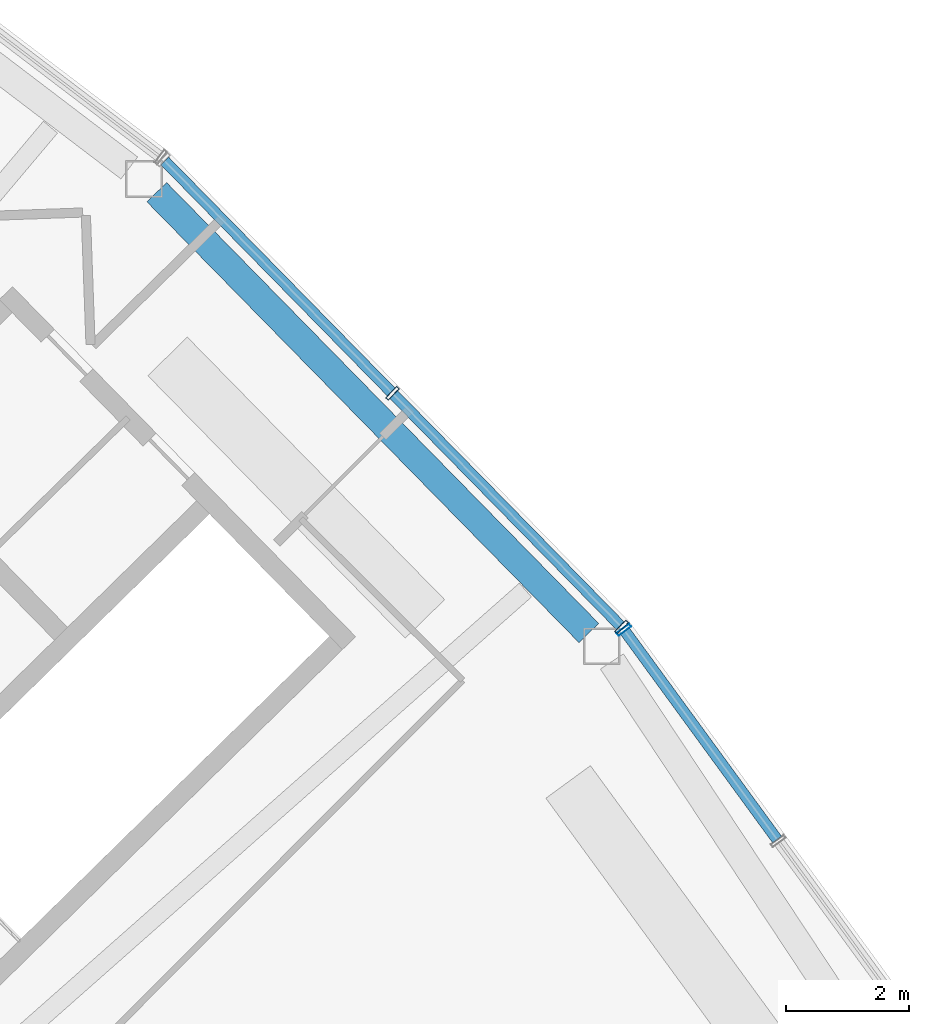
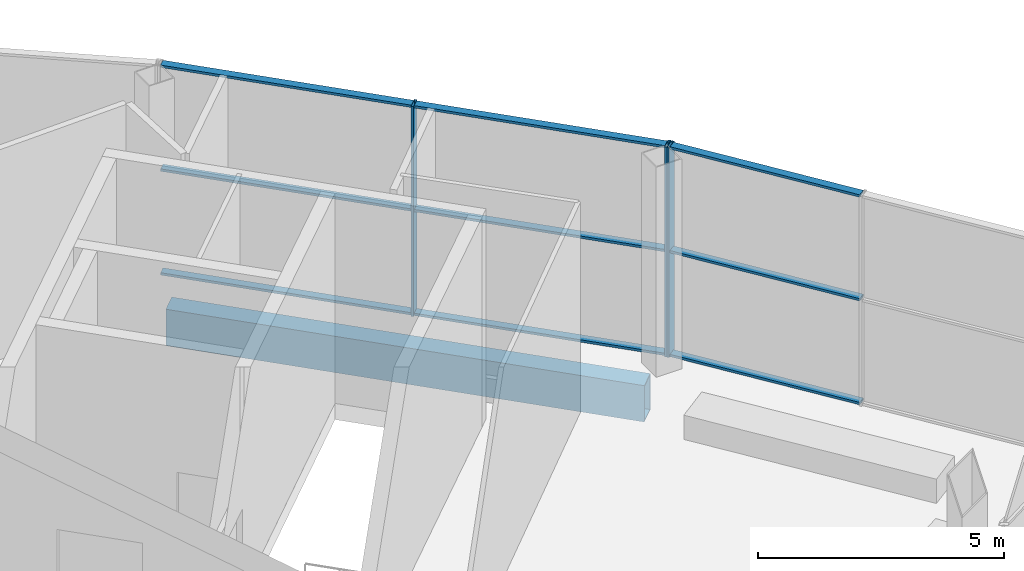
# One storey, part 28 of 44: 12 members, 1 beam, 2 elements without a shape of their own.
"""IFC4 building model written with IfcOpenShell, lengths in metres."""

from ifc_helpers import new_model, si_unit, direction, frame, origin, origin_2d, place, context, subcontext, project, spatial, hollow_rectangle, extrude, material, layer, layer_set, material_profile, profile_set, type_object, element, aggregate, save


model = new_model("IFC4")

# Units and contexts
model_context = context("Model", 3, precision=1e-05, world=origin(), true_north=direction((0.0, 1.0)))
body_context = subcontext(model_context, "Body", "Model", "MODEL_VIEW")
ifc_project = project(units=[si_unit("LENGTHUNIT", "METRE"), si_unit("AREAUNIT", "SQUARE_METRE"), si_unit("VOLUMEUNIT", "CUBIC_METRE"), si_unit("PLANEANGLEUNIT", "RADIAN"), si_unit("MASSUNIT", "GRAM", prefix="KILO")], contexts=[model_context])

# Site, building, storey
site_placement = place(None, origin())
site = spatial("IfcSite", under=ifc_project, at=site_placement, CompositionType="ELEMENT")
building_placement = place(site_placement, origin())
building = spatial("IfcBuilding", under=site, at=building_placement, Name="Tuul Gate Civic Tower", CompositionType="ELEMENT")
storey_placement = place(building_placement, frame((0.0, 0.0, 354.60009765625)))
storey = spatial("IfcBuildingStorey", under=building, at=storey_placement, Name="Observation level 2", CompositionType="ELEMENT", Elevation=354.60009765625)

# Curtain wall, member
ifc_material_1 = material(Name="Stainless steel", Category="steel")
ifc_layer = layer(ifc_material_1, 0.199951171875)
ifc_layer_set = layer_set([ifc_layer], Name="Stainless steel")
curtain_wall_type = type_object("IfcCurtainWallType", Name="Curtain wall CW4", PredefinedType="NOTDEFINED", material=ifc_layer_set)
curtain_wall_1_placement = place(storey_placement, origin())
curtain_wall_1 = element("IfcCurtainWall", 1, at=curtain_wall_1_placement, inside=storey, type_object=curtain_wall_type, Name="Curtain wall CW4", PredefinedType="NOTDEFINED")
ifc_material_2 = material(Name="Stainless steel", Category="steel")
ifc_material_profile_1 = material_profile(ifc_material_2, hollow_rectangle(XDim=0.260009765625, YDim=0.06005859375, WallThickness=0.006103515625, at=origin_2d()), Name="CW4 mullion")
ifc_profile_set_1 = profile_set([ifc_material_profile_1], Name="Stainless steel")
member_type_1 = type_object("IfcMemberType", Name="CW4 mullion", PredefinedType="MULLION", material=ifc_profile_set_1)
member_1_placement = place(storey_placement, frame((58.92578125, -12.020263671875, 0.0), z_axis=(0.0, 0.0, 1.0), x_axis=(-0.807578487079, -0.589760109881, 0.0)))
member_1 = element("IfcMember", 2, at=member_1_placement, type_object=member_type_1, Name="Mullion", PredefinedType="MULLION", context=body_context, shape_type="SweptSolid", body=[
    extrude(hollow_rectangle(XDim=0.260009765625, YDim=0.06005859375, WallThickness=0.006103515625, at=origin_2d()), origin(), (0.0, 0.0, 1.0), 5.199951171875),
])

# Curtain wall, members
curtain_wall_2_placement = place(storey_placement, origin())
curtain_wall_2 = element("IfcCurtainWall", 3, at=curtain_wall_2_placement, inside=storey, type_object=curtain_wall_type, Name="Curtain wall CW4", PredefinedType="NOTDEFINED")
member_2_placement = place(storey_placement, frame((58.886962890625, -11.974609375, 0.0), z_axis=(0.0, 0.0, 1.0), x_axis=(-0.714100212908, -0.700043488595, 0.0)))
member_2 = element("IfcMember", 4, at=member_2_placement, type_object=member_type_1, Name="Mullion", PredefinedType="MULLION", context=body_context, shape_type="SweptSolid", body=[
    extrude(hollow_rectangle(XDim=0.260009765625, YDim=0.06005859375, WallThickness=0.006103515625, at=origin_2d()), origin(), (0.0, 0.0, 1.0), 5.199951171875),
])
member_3_placement = place(storey_placement, frame((55.14794921875, -8.160400390625, 0.0), z_axis=(0.0, 0.0, 1.0), x_axis=(-0.714100212908, -0.700043488595, 0.0)))
member_3 = element("IfcMember", 5, at=member_3_placement, type_object=member_type_1, Name="Mullion", PredefinedType="MULLION", context=body_context, shape_type="SweptSolid", body=[
    extrude(hollow_rectangle(XDim=0.260009765625, YDim=0.06005859375, WallThickness=0.006103515625, at=origin_2d()), origin(), (0.0, 0.0, 1.0), 5.199951171875),
])

# Member
ifc_material_3 = material(Name="Stainless steel", Category="steel")
ifc_material_profile_2 = material_profile(ifc_material_3, hollow_rectangle(XDim=0.179931640625, YDim=0.06005859375, WallThickness=0.006103515625, at=origin_2d()), Name="CW4 transom")
ifc_profile_set_2 = profile_set([ifc_material_profile_2], Name="Stainless steel")
member_type_2 = type_object("IfcMemberType", Name="CW4 transom", PredefinedType="USERDEFINED", material=ifc_profile_set_2)
member_4_placement = place(storey_placement, frame((61.42724609375, -15.44580078125, 0.02978515625), z_axis=(-0.589749140604, 0.807586497631, 0.0), x_axis=(-0.807586497631, -0.589749140604, 0.0)))
member_4 = element("IfcMember", 6, at=member_4_placement, type_object=member_type_2, Name="Transom", ObjectType="TRANSOM", PredefinedType="USERDEFINED", context=body_context, shape_type="SweptSolid", body=[
    extrude(hollow_rectangle(XDim=0.179931640625, YDim=0.06005859375, WallThickness=0.006103515625, at=origin_2d()), origin(), (0.0, 0.0, 1.0), 4.211669921875),
])

member_5_placement = place(storey_placement, frame((61.42724609375, -15.44580078125, 2.599853515625), z_axis=(-0.589749140604, 0.807586497631, 0.0), x_axis=(-0.807586497631, -0.589749140604, 0.0)))
member_5 = element("IfcMember", 7, at=member_5_placement, type_object=member_type_2, Name="Transom", ObjectType="TRANSOM", PredefinedType="USERDEFINED", context=body_context, shape_type="SweptSolid", body=[
    extrude(hollow_rectangle(XDim=0.179931640625, YDim=0.06005859375, WallThickness=0.006103515625, at=origin_2d()), origin(), (0.0, 0.0, 1.0), 4.211669921875),
])

member_6_placement = place(storey_placement, frame((61.42724609375, -15.44580078125, 5.169921875), z_axis=(-0.589749140604, 0.807586497631, 0.0), x_axis=(-0.807586497631, -0.589749140604, 0.0)))
member_6 = element("IfcMember", 8, at=member_6_placement, type_object=member_type_2, Name="Transom", ObjectType="TRANSOM", PredefinedType="USERDEFINED", context=body_context, shape_type="SweptSolid", body=[
    extrude(hollow_rectangle(XDim=0.179931640625, YDim=0.06005859375, WallThickness=0.006103515625, at=origin_2d()), origin(), (0.0, 0.0, 1.0), 4.211669921875),
])

aggregate(curtain_wall_1, [member_1, member_4, member_5, member_6])

member_7_placement = place(storey_placement, frame((58.865966796875, -11.953125, 0.02978515625), z_axis=(-0.700045065111, 0.714098667422, 0.0), x_axis=(-0.714098667422, -0.700045065111, 0.0)))
member_7 = element("IfcMember", 9, at=member_7_placement, type_object=member_type_2, Name="Transom", ObjectType="TRANSOM", PredefinedType="USERDEFINED", context=body_context, shape_type="SweptSolid", body=[
    extrude(hollow_rectangle(XDim=0.179931640625, YDim=0.06005859375, WallThickness=0.006103515625, at=origin_2d()), origin(), (0.0, 0.0, 1.0), 5.281005859375),
])

member_8_placement = place(storey_placement, frame((58.865966796875, -11.953125, 2.599853515625), z_axis=(-0.700045065111, 0.714098667422, 0.0), x_axis=(-0.714098667422, -0.700045065111, 0.0)))
member_8 = element("IfcMember", 10, at=member_8_placement, type_object=member_type_2, Name="Transom", ObjectType="TRANSOM", PredefinedType="USERDEFINED", context=body_context, shape_type="SweptSolid", body=[
    extrude(hollow_rectangle(XDim=0.179931640625, YDim=0.06005859375, WallThickness=0.006103515625, at=origin_2d()), origin(), (0.0, 0.0, 1.0), 5.281005859375),
])

member_9_placement = place(storey_placement, frame((58.865966796875, -11.953125, 5.169921875), z_axis=(-0.700045065111, 0.714098667422, 0.0), x_axis=(-0.714098667422, -0.700045065111, 0.0)))
member_9 = element("IfcMember", 11, at=member_9_placement, type_object=member_type_2, Name="Transom", ObjectType="TRANSOM", PredefinedType="USERDEFINED", context=body_context, shape_type="SweptSolid", body=[
    extrude(hollow_rectangle(XDim=0.179931640625, YDim=0.06005859375, WallThickness=0.006103515625, at=origin_2d()), origin(), (0.0, 0.0, 1.0), 5.281005859375),
])

member_10_placement = place(storey_placement, frame((55.126953125, -8.13916015625, 0.02978515625), z_axis=(-0.700045065111, 0.714098667422, 0.0), x_axis=(-0.714098667422, -0.700045065111, 0.0)))
member_10 = element("IfcMember", 12, at=member_10_placement, type_object=member_type_2, Name="Transom", ObjectType="TRANSOM", PredefinedType="USERDEFINED", context=body_context, shape_type="SweptSolid", body=[
    extrude(hollow_rectangle(XDim=0.179931640625, YDim=0.06005859375, WallThickness=0.006103515625, at=origin_2d()), origin(), (0.0, 0.0, 1.0), 5.281005859375),
])

member_11_placement = place(storey_placement, frame((55.126953125, -8.13916015625, 2.599853515625), z_axis=(-0.700045065111, 0.714098667422, 0.0), x_axis=(-0.714098667422, -0.700045065111, 0.0)))
member_11 = element("IfcMember", 13, at=member_11_placement, type_object=member_type_2, Name="Transom", ObjectType="TRANSOM", PredefinedType="USERDEFINED", context=body_context, shape_type="SweptSolid", body=[
    extrude(hollow_rectangle(XDim=0.179931640625, YDim=0.06005859375, WallThickness=0.006103515625, at=origin_2d()), origin(), (0.0, 0.0, 1.0), 5.281005859375),
])

member_12_placement = place(storey_placement, frame((55.126953125, -8.13916015625, 5.169921875), z_axis=(-0.700045065111, 0.714098667422, 0.0), x_axis=(-0.714098667422, -0.700045065111, 0.0)))
member_12 = element("IfcMember", 14, at=member_12_placement, type_object=member_type_2, Name="Transom", ObjectType="TRANSOM", PredefinedType="USERDEFINED", context=body_context, shape_type="SweptSolid", body=[
    extrude(hollow_rectangle(XDim=0.179931640625, YDim=0.06005859375, WallThickness=0.006103515625, at=origin_2d()), origin(), (0.0, 0.0, 1.0), 5.281005859375),
])

aggregate(curtain_wall_2, [member_2, member_3, member_7, member_8, member_9, member_10, member_11, member_12])

# Beam
ifc_material_4 = material(Name="Steel S355", Category="steel")
ifc_material_profile_3 = material_profile(ifc_material_4, hollow_rectangle(XDim=0.449951171875, YDim=0.89990234375, WallThickness=0.02490234375, at=origin_2d()), Name="BOX900x450x25")
ifc_profile_set_3 = profile_set([ifc_material_profile_3], Name="Steel S355")
beam_type = type_object("IfcBeamType", Name="STR-SPANDREL BEAM-BOX900x450x25", PredefinedType="BEAM", material=ifc_profile_set_3)
beam_placement = place(storey_placement, frame((58.35400390625, -12.07373046875, -0.85009765625), z_axis=(-0.699997044148, 0.714145740157, 0.0), x_axis=(-0.714145740157, -0.699997044148, 0.0)))
element("IfcBeam", 15, at=beam_placement, inside=storey, type_object=beam_type, Name="Spandrel beam", PredefinedType="BEAM", context=body_context, shape_type="SweptSolid", body=[
    extrude(hollow_rectangle(XDim=0.449951171875, YDim=0.89990234375, WallThickness=0.02490234375, at=origin_2d()), origin(), (0.0, 0.0, 1.0), 10.0771484375),
])

save(model, "model.ifc")
